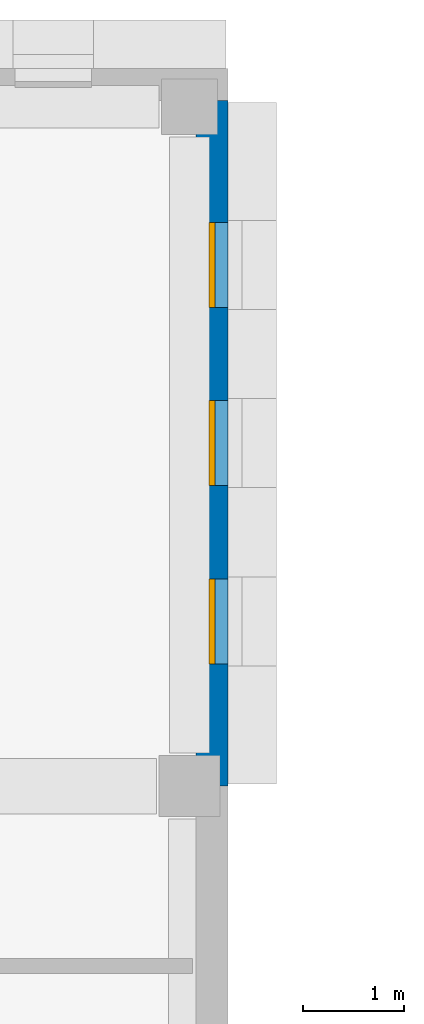
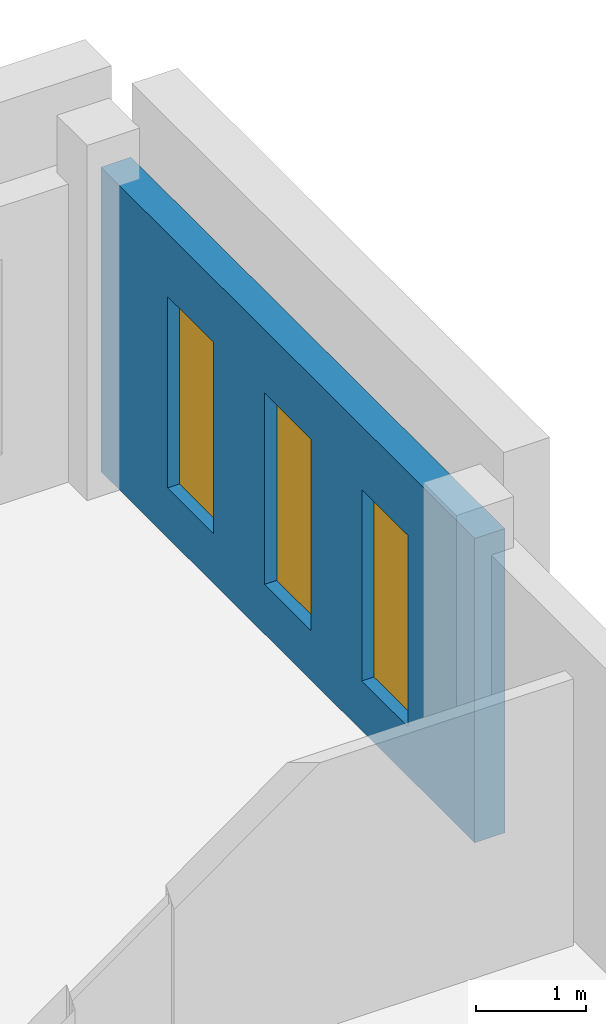
# One storey, part 60 of 76: 3 windows, 1 wall, 3 openings.
"""IFC4 building model written with IfcOpenShell, lengths in metres."""

from ifc_helpers import new_model, si_unit, direction, frame, frame_2d, origin, place, context, subcontext, project, spatial, rectangle, extrude, material, layer, layer_set, type_object, element, fill, save


model = new_model("IFC4")

# Units and contexts
model_context = context("Model", 3, precision=1e-05, world=origin(), true_north=direction((0.0, 1.0)))
body_context = subcontext(model_context, "Body", "Model", "MODEL_VIEW")
ifc_project = project(units=[si_unit("LENGTHUNIT", "METRE"), si_unit("AREAUNIT", "SQUARE_METRE"), si_unit("VOLUMEUNIT", "CUBIC_METRE"), si_unit("PLANEANGLEUNIT", "RADIAN"), si_unit("MASSUNIT", "GRAM", prefix="KILO")], contexts=[model_context])

# Site, building, storey
site_placement = place(None, origin())
site = spatial("IfcSite", under=ifc_project, at=site_placement, CompositionType="ELEMENT")
building_placement = place(site_placement, origin())
building = spatial("IfcBuilding", under=site, at=building_placement, Name="Vardoun Plaza Health Centre", CompositionType="ELEMENT")
storey_placement = place(building_placement, frame((0.0, 0.0, 4.5)))
storey = spatial("IfcBuildingStorey", under=building, at=storey_placement, Name="L01", CompositionType="ELEMENT", Elevation=4.5)

# Wall, openings, windows
ifc_material_1 = material(Name="Pale Limestone Concrete C35/45", Category="masonry")
ifc_layer = layer(ifc_material_1, 0.31494140625)
ifc_layer_set = layer_set([ifc_layer], Name="Pale Limestone Concrete C35/45")
wall_type = type_object("IfcWallType", Name="EW-03", PredefinedType="SOLIDWALL", material=ifc_layer_set)
wall_placement = place(storey_placement, frame((47.54248046875, 114.985107421875, 0.0), z_axis=(0.0, 0.0, 1.0), x_axis=(0.0, -1.0, 0.0)))
wall = element("IfcWall", 1, at=wall_placement, inside=storey, type_object=wall_type, Name="V3 L01 Exterior Wall EW-V3-265", PredefinedType="SOLIDWALL", context=body_context, shape_type="SweptSolid", body=[
    extrude(rectangle(XDim=6.78515625, YDim=0.31494140625, at=frame_2d((3.392578125, 0.0))), origin(), (0.0, 0.0, 1.0), 3.3701171875),
])
opening_1_placement = place(wall_placement, frame((1.20849609375, 0.0, 0.550048828125)))
opening_1 = element("IfcOpeningElement", 2, at=opening_1_placement, cuts=wall, Name="Opening W-17-001", PredefinedType="OPENING", context=body_context, shape_type="SweptSolid", body=[
    extrude(rectangle(XDim=0.840087890625, YDim=2.1201171875, at=frame_2d((0.419921875, 1.06005859375))), frame((0.0, 0.157470703125, 0.0), z_axis=(0.0, -1.0, 0.0), x_axis=(1.0, 0.0, 0.0)), (0.0, 0.0, 1.0), 0.31494140625),
])
opening_2_placement = place(wall_placement, frame((2.972412109375, 0.0, 0.550048828125)))
opening_2 = element("IfcOpeningElement", 3, at=opening_2_placement, cuts=wall, Name="Opening W-17-002", PredefinedType="OPENING", context=body_context, shape_type="SweptSolid", body=[
    extrude(rectangle(XDim=0.840087890625, YDim=2.1201171875, at=frame_2d((0.419921875, 1.06005859375))), frame((0.0, 0.157470703125, 0.0), z_axis=(0.0, -1.0, 0.0), x_axis=(1.0, 0.0, 0.0)), (0.0, 0.0, 1.0), 0.31494140625),
])
opening_3_placement = place(wall_placement, frame((4.736572265625, 0.0, 0.550048828125)))
opening_3 = element("IfcOpeningElement", 4, at=opening_3_placement, cuts=wall, Name="Opening W-17-003", PredefinedType="OPENING", context=body_context, shape_type="SweptSolid", body=[
    extrude(rectangle(XDim=0.840087890625, YDim=2.1201171875, at=frame_2d((0.419921875, 1.06005859375))), frame((0.0, 0.157470703125, 0.0), z_axis=(0.0, -1.0, 0.0), x_axis=(1.0, 0.0, 0.0)), (0.0, 0.0, 1.0), 0.31494140625),
])
ifc_material_2 = material(Name="Aluminium Alloy EN AW-6063-T6 and Low-E Glass", Category="aluminium")
window_type = type_object("IfcWindowType", Name="W-17", PartitioningType="SINGLE_PANEL", PredefinedType="WINDOW", material=ifc_material_2)
window_1_placement = place(opening_1_placement, origin())
window_1 = element("IfcWindow", 5, at=window_1_placement, inside=storey, type_object=window_type, Name="V3 L01 Deep-Punched Slot Window W-17-405", OverallHeight=2.1201171875, OverallWidth=0.840087890625, PartitioningType="SINGLE_PANEL", PredefinedType="WINDOW", context=body_context, shape_type="SweptSolid", body=[
    extrude(rectangle(XDim=0.840087890625, YDim=2.1201171875, at=frame_2d((0.419921875, 1.06005859375))), frame((0.0, 0.030029296875, 0.0), z_axis=(0.0, -1.0, 0.0), x_axis=(1.0, 0.0, 0.0)), (0.0, 0.0, 1.0), 0.06005859375),
])
fill(opening_1, window_1)
window_2_placement = place(opening_2_placement, origin())
window_2 = element("IfcWindow", 6, at=window_2_placement, inside=storey, type_object=window_type, Name="V3 L01 Deep-Punched Slot Window W-17-406", OverallHeight=2.1201171875, OverallWidth=0.840087890625, PartitioningType="SINGLE_PANEL", PredefinedType="WINDOW", context=body_context, shape_type="SweptSolid", body=[
    extrude(rectangle(XDim=0.840087890625, YDim=2.1201171875, at=frame_2d((0.419921875, 1.06005859375))), frame((0.0, 0.030029296875, 0.0), z_axis=(0.0, -1.0, 0.0), x_axis=(1.0, 0.0, 0.0)), (0.0, 0.0, 1.0), 0.06005859375),
])
fill(opening_2, window_2)
window_3_placement = place(opening_3_placement, origin())
window_3 = element("IfcWindow", 7, at=window_3_placement, inside=storey, type_object=window_type, Name="V3 L01 Deep-Punched Slot Window W-17-407", OverallHeight=2.1201171875, OverallWidth=0.840087890625, PartitioningType="SINGLE_PANEL", PredefinedType="WINDOW", context=body_context, shape_type="SweptSolid", body=[
    extrude(rectangle(XDim=0.840087890625, YDim=2.1201171875, at=frame_2d((0.419921875, 1.06005859375))), frame((0.0, 0.030029296875, 0.0), z_axis=(0.0, -1.0, 0.0), x_axis=(1.0, 0.0, 0.0)), (0.0, 0.0, 1.0), 0.06005859375),
])
fill(opening_3, window_3)

save(model, "model.ifc")
